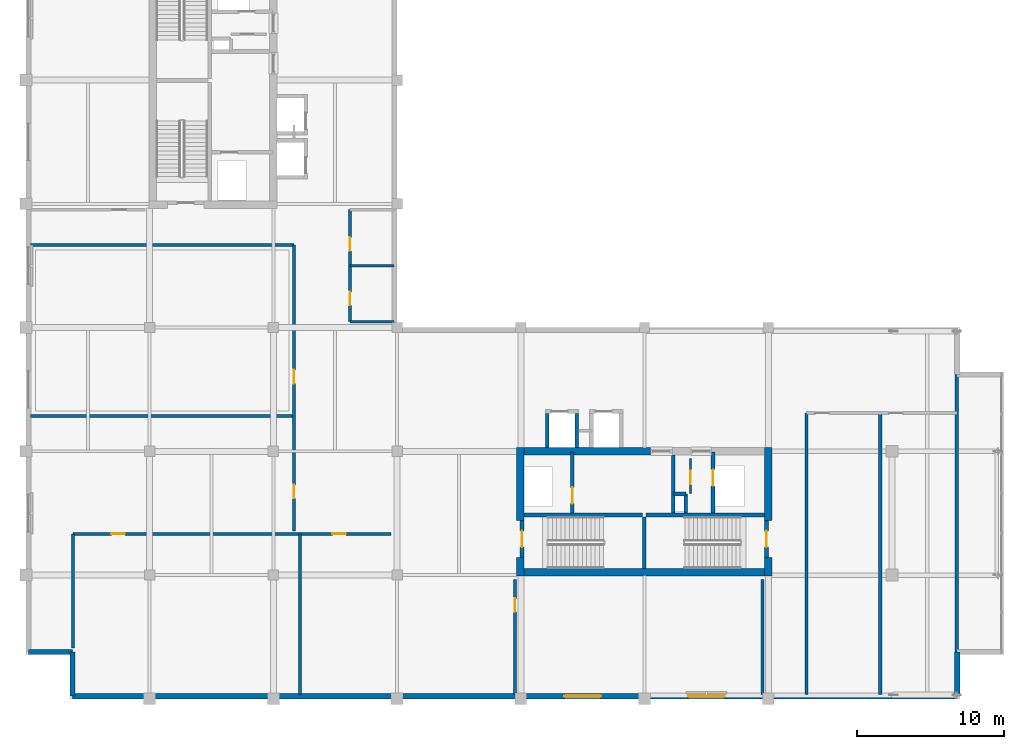
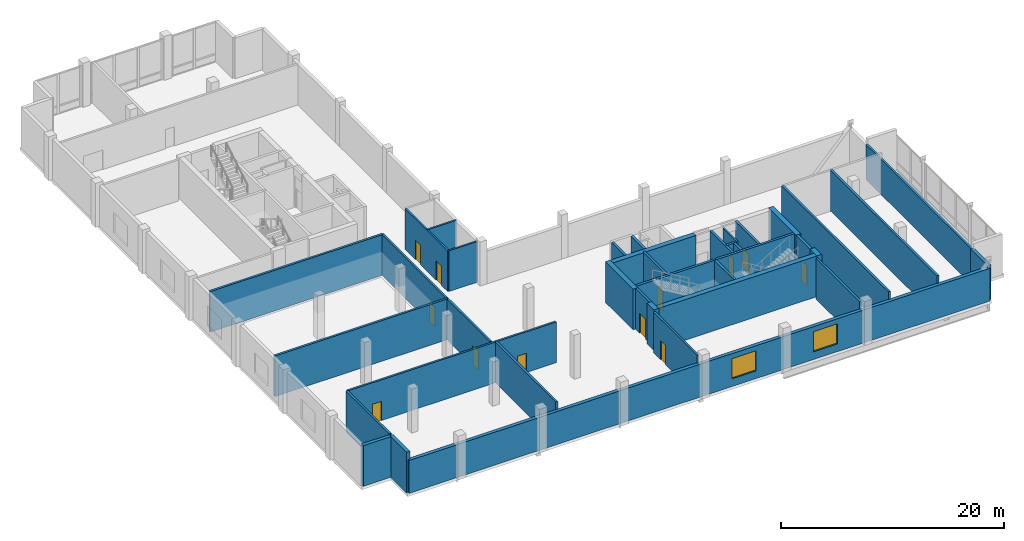
# One storey, part 10 of 18: 37 walls, 12 doors, 2 windows, 14 openings.
"""IFC4 building model written with IfcOpenShell, lengths in metres."""

from ifc_helpers import new_model, si_unit, direction, frame, frame_2d, origin, place, context, subcontext, project, spatial, rectangle, extrude, material, layer, layer_set, type_object, element, fill, save


model = new_model("IFC4")

# Units and contexts
model_context = context("Model", 3, precision=1e-05, world=origin(), true_north=direction((0.0, 1.0)))
body_context = subcontext(model_context, "Body", "Model", "MODEL_VIEW")
ifc_project = project(units=[si_unit("LENGTHUNIT", "METRE"), si_unit("AREAUNIT", "SQUARE_METRE"), si_unit("VOLUMEUNIT", "CUBIC_METRE"), si_unit("PLANEANGLEUNIT", "RADIAN"), si_unit("MASSUNIT", "GRAM", prefix="KILO")], contexts=[model_context])

# Site, building, storey
site_placement = place(None, origin())
site = spatial("IfcSite", under=ifc_project, at=site_placement, CompositionType="ELEMENT")
building_placement = place(site_placement, origin())
building = spatial("IfcBuilding", under=site, at=building_placement, Name="Koriwani Terraces Tower", CompositionType="ELEMENT")
storey_placement = place(building_placement, frame((0.0, 0.0, 363.800048828125)))
storey = spatial("IfcBuildingStorey", under=building, at=storey_placement, Name="L90", CompositionType="ELEMENT", Elevation=363.800048828125)

# Walls
ifc_material_1 = material(Name="Concrete C50/60", Category="concrete")
ifc_layer_1 = layer(ifc_material_1, 0.5, Name="Concrete C50/60")
ifc_layer_set_1 = layer_set([ifc_layer_1], Name="Concrete C50/60")
wall_type_1 = type_object("IfcWallType", Name="WALL_CORE_RC_500", PredefinedType="SHEAR", material=ifc_layer_set_1)
wall_1_placement = place(storey_placement, frame((41.949951171875, 16.75, 0.0), z_axis=(0.0, 0.0, 1.0), x_axis=(0.0, 1.0, 0.0)))
element("IfcWall", 1, at=wall_1_placement, inside=storey, type_object=wall_type_1, Name="L90 East Split Core Shear Wall W1", PredefinedType="SHEAR", context=body_context, shape_type="SweptSolid", body=[
    extrude(rectangle(XDim=1.25, YDim=0.5, at=frame_2d((0.625, 0.0))), origin(), (0.0, 0.0, 1.0), 4.449951171875),
])
wall_2_placement = place(storey_placement, frame((41.949951171875, 20.5, 0.0), z_axis=(0.0, 0.0, 1.0), x_axis=(0.0, 1.0, 0.0)))
element("IfcWall", 2, at=wall_2_placement, inside=storey, type_object=wall_type_1, Name="L90 East Split Core Shear Wall W2", PredefinedType="SHEAR", context=body_context, shape_type="SweptSolid", body=[
    extrude(rectangle(XDim=4.949951171875, YDim=0.5, at=frame_2d((2.47509765625, 0.0))), origin(), (0.0, 0.0, 1.0), 4.449951171875),
])
wall_3_placement = place(storey_placement, frame((58.800048828125, 16.75, 0.0), z_axis=(0.0, 0.0, 1.0), x_axis=(0.0, 1.0, 0.0)))
element("IfcWall", 3, at=wall_3_placement, inside=storey, type_object=wall_type_1, Name="L90 East Split Core Shear Wall E1", PredefinedType="SHEAR", context=body_context, shape_type="SweptSolid", body=[
    extrude(rectangle(XDim=1.25, YDim=0.5, at=frame_2d((0.625, 0.0))), origin(), (0.0, 0.0, 1.0), 4.449951171875),
])
wall_4_placement = place(storey_placement, frame((58.800048828125, 20.5, 0.0), z_axis=(0.0, 0.0, 1.0), x_axis=(0.0, 1.0, 0.0)))
element("IfcWall", 4, at=wall_4_placement, inside=storey, type_object=wall_type_1, Name="L90 East Split Core Shear Wall E2", PredefinedType="SHEAR", context=body_context, shape_type="SweptSolid", body=[
    extrude(rectangle(XDim=4.949951171875, YDim=0.5, at=frame_2d((2.47509765625, 0.0))), origin(), (0.0, 0.0, 1.0), 4.449951171875),
])
wall_5_placement = place(storey_placement, frame((42.199951171875, 17.0, 0.0), z_axis=(0.0, 0.0, 1.0), x_axis=(1.0, 0.0, 0.0)))
element("IfcWall", 5, at=wall_5_placement, inside=storey, type_object=wall_type_1, Name="L90 East Split Core Shear Wall S1", PredefinedType="SHEAR", context=body_context, shape_type="SweptSolid", body=[
    extrude(rectangle(XDim=16.35009765625, YDim=0.5, at=frame_2d((8.175048828125, 0.0))), origin(), (0.0, 0.0, 1.0), 4.449951171875),
])
wall_6_placement = place(storey_placement, frame((42.199951171875, 25.199951171875, 0.0), z_axis=(0.0, 0.0, 1.0), x_axis=(1.0, 0.0, 0.0)))
element("IfcWall", 6, at=wall_6_placement, inside=storey, type_object=wall_type_1, Name="L90 East Split Core Shear Wall N1", PredefinedType="SHEAR", context=body_context, shape_type="SweptSolid", body=[
    extrude(rectangle(XDim=8.60009765625, YDim=0.5, at=frame_2d((4.300048828125, 0.0))), origin(), (0.0, 0.0, 1.0), 4.449951171875),
])

# Wall, opening, door
ifc_material_2 = material(Name="Autoclaved Cellular Concrete Blockwork", Category="masonry")
ifc_layer_2 = layer(ifc_material_2, 0.199951171875, Name="Autoclaved Cellular Concrete Blockwork")
ifc_layer_set_2 = layer_set([ifc_layer_2], Name="Autoclaved Cellular Concrete Blockwork")
wall_type_2 = type_object("IfcWallType", Name="WALL_CORRIDOR_200", PredefinedType="PARTITIONING", material=ifc_layer_set_2)
wall_7_placement = place(storey_placement, frame((41.60009765625, 8.699951171875, 0.0), z_axis=(0.0, 0.0, 1.0), x_axis=(0.0, 1.0, 0.0)))
wall_7 = element("IfcWall", 7, at=wall_7_placement, inside=storey, type_object=wall_type_2, Name="L90 Interior Wall WSKY-RECE1-L90", PredefinedType="PARTITIONING", context=body_context, shape_type="SweptSolid", body=[
    extrude(rectangle(XDim=7.800048828125, YDim=0.199951171875, at=frame_2d((3.89990234375, 0.0))), origin(), (0.0, 0.0, 1.0), 4.449951171875),
])
opening_1_placement = place(wall_7_placement, frame((5.60009765625, 0.0, 0.0)))
opening_1 = element("IfcOpeningElement", 8, at=opening_1_placement, cuts=wall_7, Name="Opening D-06", PredefinedType="OPENING", context=body_context, shape_type="SweptSolid", body=[
    extrude(rectangle(XDim=0.919921875, YDim=2.10009765625, at=frame_2d((0.4599609375, 1.050048828125))), frame((0.0, 0.10986328125, 0.0), z_axis=(0.0, -1.0, 0.0), x_axis=(1.0, 0.0, 0.0)), (0.0, 0.0, 1.0), 0.219970703125),
])
ifc_material_3 = material(Name="Architectural Oak Fire Door", Category="wood")
door_type_1 = type_object("IfcDoorType", Name="DOOR_ROOM_INT_920X2100", OperationType="NOTDEFINED", PredefinedType="DOOR", material=ifc_material_3)
door_1_placement = place(opening_1_placement, origin())
door_1 = element("IfcDoor", 9, at=door_1_placement, inside=storey, type_object=door_type_1, Name="L90 VIP Tasting Salon Door", OperationType="SINGLE_SWING_LEFT", OverallHeight=2.10009765625, OverallWidth=0.919921875, PredefinedType="DOOR", context=body_context, shape_type="SweptSolid", body=[
    extrude(rectangle(XDim=0.919921875, YDim=2.10009765625, at=frame_2d((0.4599609375, 1.050048828125))), frame((0.0, 0.02490234375, 0.0), z_axis=(0.0, -1.0, 0.0), x_axis=(1.0, 0.0, 0.0)), (0.0, 0.0, 1.0), 0.050048828125),
])
fill(opening_1, door_1)

# Wall, openings, doors
wall_8_placement = place(storey_placement, frame((11.60009765625, 19.60009765625, 0.0), z_axis=(0.0, 0.0, 1.0), x_axis=(1.0, 0.0, 0.0)))
wall_8 = element("IfcWall", 10, at=wall_8_placement, inside=storey, type_object=wall_type_2, Name="L90 Interior Wall WSKY-SPN-L90", PredefinedType="PARTITIONING", context=body_context, shape_type="SweptSolid", body=[
    extrude(rectangle(XDim=21.599853515625, YDim=0.199951171875, at=frame_2d((10.7998046875, 0.0))), origin(), (0.0, 0.0, 1.0), 4.449951171875),
])
opening_2_placement = place(wall_8_placement, frame((2.60009765625, 0.0, 0.0)))
opening_2 = element("IfcOpeningElement", 11, at=opening_2_placement, cuts=wall_8, Name="Opening D-06", PredefinedType="OPENING", context=body_context, shape_type="SweptSolid", body=[
    extrude(rectangle(XDim=0.919921875, YDim=2.10009765625, at=frame_2d((0.4599609375, 1.050048828125))), frame((0.0, 0.10986328125, 0.0), z_axis=(0.0, -1.0, 0.0), x_axis=(1.0, 0.0, 0.0)), (0.0, 0.0, 1.0), 0.219970703125),
])
opening_3_placement = place(wall_8_placement, frame((17.60009765625, 0.0, 0.0)))
opening_3 = element("IfcOpeningElement", 12, at=opening_3_placement, cuts=wall_8, Name="Opening D-06", PredefinedType="OPENING", context=body_context, shape_type="SweptSolid", body=[
    extrude(rectangle(XDim=0.919921875, YDim=2.10009765625, at=frame_2d((0.4599609375, 1.050048828125))), frame((0.0, 0.10986328125, 0.0), z_axis=(0.0, -1.0, 0.0), x_axis=(1.0, 0.0, 0.0)), (0.0, 0.0, 1.0), 0.219970703125),
])
door_2_placement = place(opening_2_placement, origin())
door_2 = element("IfcDoor", 13, at=door_2_placement, inside=storey, type_object=door_type_1, Name="L90 Sky Spa Salon Door", OperationType="SINGLE_SWING_RIGHT", OverallHeight=2.10009765625, OverallWidth=0.919921875, PredefinedType="DOOR", context=body_context, shape_type="SweptSolid", body=[
    extrude(rectangle(XDim=0.919921875, YDim=2.10009765625, at=frame_2d((0.4599609375, 1.050048828125))), frame((0.0, 0.02490234375, 0.0), z_axis=(0.0, -1.0, 0.0), x_axis=(1.0, 0.0, 0.0)), (0.0, 0.0, 1.0), 0.050048828125),
])
fill(opening_2, door_2)
door_3_placement = place(opening_3_placement, origin())
door_3 = element("IfcDoor", 14, at=door_3_placement, inside=storey, type_object=door_type_1, Name="L90 Sommelier Kitchen Door", OperationType="SINGLE_SWING_LEFT", OverallHeight=2.10009765625, OverallWidth=0.919921875, PredefinedType="DOOR", context=body_context, shape_type="SweptSolid", body=[
    extrude(rectangle(XDim=0.919921875, YDim=2.10009765625, at=frame_2d((0.4599609375, 1.050048828125))), frame((0.0, 0.02490234375, 0.0), z_axis=(0.0, -1.0, 0.0), x_axis=(1.0, 0.0, 0.0)), (0.0, 0.0, 1.0), 0.050048828125),
])
fill(opening_3, door_3)

wall_9_placement = place(storey_placement, frame((26.60009765625, 19.800048828125, 0.0), z_axis=(0.0, 0.0, 1.0), x_axis=(0.0, 1.0, 0.0)))
wall_9 = element("IfcWall", 15, at=wall_9_placement, inside=storey, type_object=wall_type_2, Name="L90 Interior Wall WSKY-WME-L90", PredefinedType="PARTITIONING", context=body_context, shape_type="SweptSolid", body=[
    extrude(rectangle(XDim=19.39990234375, YDim=0.199951171875, at=frame_2d((9.699951171875, 0.0))), origin(), (0.0, 0.0, 1.0), 4.449951171875),
])
opening_4_placement = place(wall_9_placement, frame((2.199951171875, 0.0, 0.0)))
opening_4 = element("IfcOpeningElement", 16, at=opening_4_placement, cuts=wall_9, Name="Opening D-06", PredefinedType="OPENING", context=body_context, shape_type="SweptSolid", body=[
    extrude(rectangle(XDim=0.919921875, YDim=2.10009765625, at=frame_2d((0.4599609375, 1.050048828125))), frame((0.0, 0.10986328125, 0.0), z_axis=(0.0, -1.0, 0.0), x_axis=(1.0, 0.0, 0.0)), (0.0, 0.0, 1.0), 0.219970703125),
])
opening_5_placement = place(wall_9_placement, frame((10.0, 0.0, 0.0)))
opening_5 = element("IfcOpeningElement", 17, at=opening_5_placement, cuts=wall_9, Name="Opening D-06", PredefinedType="OPENING", context=body_context, shape_type="SweptSolid", body=[
    extrude(rectangle(XDim=0.919921875, YDim=2.10009765625, at=frame_2d((0.4599609375, 1.050048828125))), frame((0.0, 0.10986328125, 0.0), z_axis=(0.0, -1.0, 0.0), x_axis=(1.0, 0.0, 0.0)), (0.0, 0.0, 1.0), 0.219970703125),
])
door_4_placement = place(opening_4_placement, origin())
door_4 = element("IfcDoor", 18, at=door_4_placement, inside=storey, type_object=door_type_1, Name="L90 Screening Room Door", OperationType="SINGLE_SWING_RIGHT", OverallHeight=2.10009765625, OverallWidth=0.919921875, PredefinedType="DOOR", context=body_context, shape_type="SweptSolid", body=[
    extrude(rectangle(XDim=0.919921875, YDim=2.10009765625, at=frame_2d((0.4599609375, 1.050048828125))), frame((0.0, 0.02490234375, 0.0), z_axis=(0.0, -1.0, 0.0), x_axis=(1.0, 0.0, 0.0)), (0.0, 0.0, 1.0), 0.050048828125),
])
fill(opening_4, door_4)
door_5_placement = place(opening_5_placement, origin())
door_5 = element("IfcDoor", 19, at=door_5_placement, inside=storey, type_object=door_type_1, Name="L90 Study Library Door", OperationType="SINGLE_SWING_LEFT", OverallHeight=2.10009765625, OverallWidth=0.919921875, PredefinedType="DOOR", context=body_context, shape_type="SweptSolid", body=[
    extrude(rectangle(XDim=0.919921875, YDim=2.10009765625, at=frame_2d((0.4599609375, 1.050048828125))), frame((0.0, 0.02490234375, 0.0), z_axis=(0.0, -1.0, 0.0), x_axis=(1.0, 0.0, 0.0)), (0.0, 0.0, 1.0), 0.050048828125),
])
fill(opening_5, door_5)

# Walls
ifc_layer_3 = layer(ifc_material_2, 0.219970703125, Name="Autoclaved Cellular Concrete Blockwork")
ifc_layer_set_3 = layer_set([ifc_layer_3], Name="Autoclaved Cellular Concrete Blockwork")
wall_type_3 = type_object("IfcWallType", Name="WALL_DEMISING_220", PredefinedType="PARTITIONING", material=ifc_layer_set_3)
wall_10_placement = place(storey_placement, frame((58.39990234375, 8.699951171875, 0.0), z_axis=(0.0, 0.0, 1.0), x_axis=(0.0, 1.0, 0.0)))
element("IfcWall", 20, at=wall_10_placement, inside=storey, type_object=wall_type_3, Name="L90 Interior Wall WSKY-RECE2-L90", PredefinedType="PARTITIONING", context=body_context, shape_type="SweptSolid", body=[
    extrude(rectangle(XDim=7.800048828125, YDim=0.219970703125, at=frame_2d((3.89990234375, 0.0))), origin(), (0.0, 0.0, 1.0), 4.449951171875),
])
wall_11_placement = place(storey_placement, frame((11.60009765625, 11.85009765625, 0.0), z_axis=(0.0, 0.0, 1.0), x_axis=(0.0, 1.0, 0.0)))
element("IfcWall", 21, at=wall_11_placement, inside=storey, type_object=wall_type_3, Name="L90 Interior Wall WSKY-SPW-L90", PredefinedType="PARTITIONING", context=body_context, shape_type="SweptSolid", body=[
    extrude(rectangle(XDim=7.75, YDim=0.219970703125, at=frame_2d((3.875, 0.0))), origin(), (0.0, 0.0, 1.0), 4.449951171875),
])
wall_12_placement = place(storey_placement, frame((27.0, 8.699951171875, 0.0), z_axis=(0.0, 0.0, 1.0), x_axis=(0.0, 1.0, 0.0)))
element("IfcWall", 22, at=wall_12_placement, inside=storey, type_object=wall_type_3, Name="L90 Interior Wall WSKY-SPM-L90", PredefinedType="PARTITIONING", context=body_context, shape_type="SweptSolid", body=[
    extrude(rectangle(XDim=10.900146484375, YDim=0.219970703125, at=frame_2d((5.4501953125, 0.0))), origin(), (0.0, 0.0, 1.0), 4.449951171875),
])
for number, where, z_axis, x_axis, name in (
    (23, (8.699951171875, 27.60009765625, 0.0), (0.0, 0.0, 1.0), (1.0, 0.0, 0.0), "L90 Interior Wall WSKY-WMM-L90"),
    (24, (8.699951171875, 39.199951171875, 0.0), (0.0, 0.0, 1.0), (1.0, 0.0, 0.0), "L90 Interior Wall WSKY-WMN-L90"),
):
    element("IfcWall", number, at=place(storey_placement, frame(where, z_axis=z_axis, x_axis=x_axis)), inside=storey, type_object=wall_type_3, Name=name, PredefinedType="PARTITIONING", context=body_context, shape_type="SweptSolid", body=[
        extrude(rectangle(XDim=17.900146484375, YDim=0.219970703125, at=frame_2d((8.9501953125, 0.0))), origin(), (0.0, 0.0, 1.0), 4.449951171875),
    ])
wall_13_placement = place(storey_placement, frame((61.39990234375, 8.699951171875, 0.0), z_axis=(0.0, 0.0, 1.0), x_axis=(0.0, 1.0, 0.0)))
element("IfcWall", 25, at=wall_13_placement, inside=storey, type_object=wall_type_3, Name="L90 Interior Wall WSKY-EW-L90", PredefinedType="PARTITIONING", context=body_context, shape_type="SweptSolid", body=[
    extrude(rectangle(XDim=19.10009765625, YDim=0.219970703125, at=frame_2d((9.550048828125, 0.0))), origin(), (0.0, 0.0, 1.0), 4.449951171875),
])
wall_14_placement = place(storey_placement, frame((71.60009765625, 11.39990234375, 0.0), z_axis=(0.0, 0.0, 1.0), x_axis=(0.0, 1.0, 0.0)))
element("IfcWall", 26, at=wall_14_placement, inside=storey, type_object=wall_type_3, Name="L90 Interior Wall WSKY-EE-L90", PredefinedType="PARTITIONING", context=body_context, shape_type="SweptSolid", body=[
    extrude(rectangle(XDim=19.0, YDim=0.219970703125, at=frame_2d((9.5, 0.0))), origin(), (0.0, 0.0, 1.0), 3.8388671875),
])
wall_15_placement = place(storey_placement, frame((66.39990234375, 8.699951171875, 0.0), z_axis=(0.0, 0.0, 1.0), x_axis=(0.0, 1.0, 0.0)))
element("IfcWall", 27, at=wall_15_placement, inside=storey, type_object=wall_type_3, Name="L90 Interior Wall WSKY-EDIV-L90", PredefinedType="PARTITIONING", context=body_context, shape_type="SweptSolid", body=[
    extrude(rectangle(XDim=19.10009765625, YDim=0.219970703125, at=frame_2d((9.550048828125, 0.0))), origin(), (0.0, 0.0, 1.0), 4.449951171875),
])
ifc_layer_4 = layer(ifc_material_1, 0.35009765625, Name="Concrete C50/60")
ifc_layer_set_4 = layer_set([ifc_layer_4], Name="Concrete C50/60")
wall_type_4 = type_object("IfcWallType", Name="WALL_EXT_BRUTALIST_350", PredefinedType="STANDARD", material=ifc_layer_set_4)
for number, where, z_axis, x_axis, name in (
    (28, (11.574951171875, 8.574951171875, 0.0), (0.0, 0.0, 1.0), (0.0, 1.0, 0.0), "L90 Fair-Faced Brutalist Exterior Wall (N0)"),
    (29, (11.574951171875, 11.574951171875, 0.0), (0.0, 0.0, 1.0), (-1.0, 0.0, 0.0), "L90 Fair-Faced Brutalist Exterior Wall (N1)"),
):
    element("IfcWall", number, at=place(storey_placement, frame(where, z_axis=z_axis, x_axis=x_axis)), inside=storey, type_object=wall_type_4, Name=name, PredefinedType="STANDARD", context=body_context, shape_type="SweptSolid", body=[
        extrude(rectangle(XDim=3.0, YDim=0.35009765625, at=frame_2d((1.5, 0.0))), origin(), (0.0, 0.0, 1.0), 4.449951171875),
    ])
wall_16_placement = place(storey_placement, frame((71.625, 11.574951171875, 0.0), z_axis=(0.0, 0.0, 1.0), x_axis=(0.0, -1.0, 0.0)))
element("IfcWall", 30, at=wall_16_placement, inside=storey, type_object=wall_type_4, Name="L90 Fair-Faced Brutalist Exterior Wall (N14)", PredefinedType="STANDARD", context=body_context, shape_type="SweptSolid", body=[
    extrude(rectangle(XDim=3.0, YDim=0.35009765625, at=frame_2d((1.5, 0.0))), origin(), (0.0, 0.0, 1.0), 3.8388671875),
])

# Wall, openings, windows
wall_17_placement = place(storey_placement, frame((71.625, 8.574951171875, 0.0), z_axis=(0.0, 0.0, 1.0), x_axis=(-1.0, 0.0, 0.0)))
wall_17 = element("IfcWall", 31, at=wall_17_placement, inside=storey, type_object=wall_type_4, Name="L90 Fair-Faced Brutalist Exterior Wall (S)", PredefinedType="STANDARD", context=body_context, shape_type="SweptSolid", body=[
    extrude(rectangle(XDim=60.050048828125, YDim=0.35009765625, at=frame_2d((30.02490234375, 0.0))), origin(), (0.0, 0.0, 1.0), 3.598876953125),
])
opening_6_placement = place(wall_17_placement, frame((24.175048828125, 0.0, 0.85009765625)))
opening_6 = element("IfcOpeningElement", 32, at=opening_6_placement, cuts=wall_17, Name="Opening W-07", PredefinedType="OPENING", context=body_context, shape_type="SweptSolid", body=[
    extrude(rectangle(XDim=2.5, YDim=2.199951171875, at=frame_2d((1.25, 1.10009765625))), frame((0.0, 0.18505859375, 0.0), z_axis=(0.0, -1.0, 0.0), x_axis=(1.0, 0.0, 0.0)), (0.0, 0.0, 1.0), 0.3701171875),
])
opening_7_placement = place(wall_17_placement, frame((15.77490234375, 0.0, 0.85009765625)))
opening_7 = element("IfcOpeningElement", 33, at=opening_7_placement, cuts=wall_17, Name="Opening W-07", PredefinedType="OPENING", context=body_context, shape_type="SweptSolid", body=[
    extrude(rectangle(XDim=2.5, YDim=2.199951171875, at=frame_2d((1.25, 1.10009765625))), frame((0.0, 0.18505859375, 0.0), z_axis=(0.0, -1.0, 0.0), x_axis=(1.0, 0.0, 0.0)), (0.0, 0.0, 1.0), 0.3701171875),
])
ifc_material_4 = material(Name="Tempered Laminated Low-E Glass", Category="glass")
window_type = type_object("IfcWindowType", Name="WIN_SKY_LOUNGE_2500X2200", PartitioningType="SINGLE_PANEL", PredefinedType="WINDOW", material=ifc_material_4)
window_1_placement = place(opening_6_placement, origin())
window_1 = element("IfcWindow", 34, at=window_1_placement, inside=storey, type_object=window_type, Name="L90 Exterior Window (S-12)", OverallHeight=2.199951171875, OverallWidth=2.5, PartitioningType="SINGLE_PANEL", PredefinedType="WINDOW", context=body_context, shape_type="SweptSolid", body=[
    extrude(rectangle(XDim=2.5, YDim=2.199951171875, at=frame_2d((1.25, 1.10009765625))), frame((0.0, 0.030029296875, 0.0), z_axis=(0.0, -1.0, 0.0), x_axis=(1.0, 0.0, 0.0)), (0.0, 0.0, 1.0), 0.06005859375),
])
fill(opening_6, window_1)
window_2_placement = place(opening_7_placement, origin())
window_2 = element("IfcWindow", 35, at=window_2_placement, inside=storey, type_object=window_type, Name="L90 Exterior Window (S-15)", OverallHeight=2.199951171875, OverallWidth=2.5, PartitioningType="SINGLE_PANEL", PredefinedType="WINDOW", context=body_context, shape_type="SweptSolid", body=[
    extrude(rectangle(XDim=2.5, YDim=2.199951171875, at=frame_2d((1.25, 1.10009765625))), frame((0.0, 0.030029296875, 0.0), z_axis=(0.0, -1.0, 0.0), x_axis=(1.0, 0.0, 0.0)), (0.0, 0.0, 1.0), 0.06005859375),
])
fill(opening_7, window_2)

# Wall, openings, doors
ifc_material_5 = material(Name="Fire-Rated Acoustic Gypsum Partition", Category="masonry")
ifc_layer_5 = layer(ifc_material_5, 0.179931640625, Name="Fire-Rated Acoustic Gypsum Partition")
ifc_layer_set_5 = layer_set([ifc_layer_5], Name="Fire-Rated Acoustic Gypsum Partition")
wall_type_5 = type_object("IfcWallType", Name="WALL_PLUMBING_180", PredefinedType="PLUMBINGWALL", material=ifc_layer_set_5)
wall_18_placement = place(storey_placement, frame((30.39990234375, 34.0, 0.0), z_axis=(0.0, 0.0, 1.0), x_axis=(0.0, 1.0, 0.0)))
wall_18 = element("IfcWall", 36, at=wall_18_placement, inside=storey, type_object=wall_type_5, Name="L90 Interior Wall WSKY-WC-L90", PredefinedType="PLUMBINGWALL", context=body_context, shape_type="SweptSolid", body=[
    extrude(rectangle(XDim=7.60009765625, YDim=0.179931640625, at=frame_2d((3.800048828125, 0.0))), origin(), (0.0, 0.0, 1.0), 4.449951171875),
])
opening_8_placement = place(wall_18_placement, frame((1.10009765625, 0.0, 0.0)))
opening_8 = element("IfcOpeningElement", 37, at=opening_8_placement, cuts=wall_18, Name="Opening D-06", PredefinedType="OPENING", context=body_context, shape_type="SweptSolid", body=[
    extrude(rectangle(XDim=0.919921875, YDim=2.10009765625, at=frame_2d((0.4599609375, 1.050048828125))), frame((0.0, 0.10009765625, 0.0), z_axis=(0.0, -1.0, 0.0), x_axis=(1.0, 0.0, 0.0)), (0.0, 0.0, 1.0), 0.199951171875),
])
opening_9_placement = place(wall_18_placement, frame((4.800048828125, 0.0, 0.0)))
opening_9 = element("IfcOpeningElement", 38, at=opening_9_placement, cuts=wall_18, Name="Opening D-06", PredefinedType="OPENING", context=body_context, shape_type="SweptSolid", body=[
    extrude(rectangle(XDim=0.919921875, YDim=2.10009765625, at=frame_2d((0.4599609375, 1.050048828125))), frame((0.0, 0.10009765625, 0.0), z_axis=(0.0, -1.0, 0.0), x_axis=(1.0, 0.0, 0.0)), (0.0, 0.0, 1.0), 0.199951171875),
])
door_6_placement = place(opening_8_placement, origin())
door_6 = element("IfcDoor", 39, at=door_6_placement, inside=storey, type_object=door_type_1, Name="L90 Sky Lobby Restroom WC Door", OperationType="SINGLE_SWING_RIGHT", OverallHeight=2.10009765625, OverallWidth=0.919921875, PredefinedType="DOOR", context=body_context, shape_type="SweptSolid", body=[
    extrude(rectangle(XDim=0.919921875, YDim=2.10009765625, at=frame_2d((0.4599609375, 1.050048828125))), frame((0.0, 0.02490234375, 0.0), z_axis=(0.0, -1.0, 0.0), x_axis=(1.0, 0.0, 0.0)), (0.0, 0.0, 1.0), 0.050048828125),
])
fill(opening_8, door_6)
door_7_placement = place(opening_9_placement, origin())
door_7 = element("IfcDoor", 40, at=door_7_placement, inside=storey, type_object=door_type_1, Name="L90 Sky Lobby Accessible WC Door", OperationType="SINGLE_SWING_LEFT", OverallHeight=2.10009765625, OverallWidth=0.919921875, PredefinedType="DOOR", context=body_context, shape_type="SweptSolid", body=[
    extrude(rectangle(XDim=0.919921875, YDim=2.10009765625, at=frame_2d((0.4599609375, 1.050048828125))), frame((0.0, 0.02490234375, 0.0), z_axis=(0.0, -1.0, 0.0), x_axis=(1.0, 0.0, 0.0)), (0.0, 0.0, 1.0), 0.050048828125),
])
fill(opening_9, door_7)

# Walls
for number, where, z_axis, x_axis, name in (
    (41, (30.39990234375, 34.0, 0.0), (0.0, 0.0, 1.0), (1.0, 0.0, 0.0), "L90 Interior Wall WSKY-WCS-L90"),
    (42, (30.39990234375, 37.800048828125, 0.0), (0.0, 0.0, 1.0), (1.0, 0.0, 0.0), "L90 Interior Wall WSKY-WCM-L90"),
):
    element("IfcWall", number, at=place(storey_placement, frame(where, z_axis=z_axis, x_axis=x_axis)), inside=storey, type_object=wall_type_5, Name=name, PredefinedType="PLUMBINGWALL", context=body_context, shape_type="SweptSolid", body=[
        extrude(rectangle(XDim=3.0, YDim=0.179931640625, at=frame_2d((1.5, 0.0))), origin(), (0.0, 0.0, 1.0), 4.449951171875),
    ])
ifc_material_6 = material(Name="Concrete C40/50", Category="concrete")
ifc_layer_6 = layer(ifc_material_6, 0.25, Name="Concrete C40/50")
ifc_layer_set_6 = layer_set([ifc_layer_6], Name="Concrete C40/50")
wall_type_6 = type_object("IfcWallType", Name="WALL_SHAFT_RATED_250", PredefinedType="SOLIDWALL", material=ifc_layer_set_6)
for number, where, z_axis, x_axis, name in (
    (43, (42.199951171875, 20.875, 0.0), (0.0, 0.0, 1.0), (1.0, 0.0, 0.0), "L90 East Split Core Web Wall MID1"),
    (44, (50.5, 20.875, 0.0), (0.0, 0.0, 1.0), (1.0, 0.0, 0.0), "L90 East Split Core Web Wall MID2"),
):
    element("IfcWall", number, at=place(storey_placement, frame(where, z_axis=z_axis, x_axis=x_axis)), inside=storey, type_object=wall_type_6, Name=name, PredefinedType="SOLIDWALL", context=body_context, shape_type="SweptSolid", body=[
        extrude(rectangle(XDim=8.050048828125, YDim=0.25, at=frame_2d((4.02490234375, 0.0))), origin(), (0.0, 0.0, 1.0), 4.449951171875),
    ])
wall_19_placement = place(storey_placement, frame((50.375, 17.25, 0.0), z_axis=(0.0, 0.0, 1.0), x_axis=(0.0, 1.0, 0.0)))
element("IfcWall", 45, at=wall_19_placement, inside=storey, type_object=wall_type_6, Name="L90 East Split Core Stair Dividing Wall", PredefinedType="SOLIDWALL", context=body_context, shape_type="SweptSolid", body=[
    extrude(rectangle(XDim=3.5, YDim=0.25, at=frame_2d((1.75, 0.0))), origin(), (0.0, 0.0, 1.0), 4.449951171875),
])

# Wall, opening, door
wall_20_placement = place(storey_placement, frame((42.074951171875, 18.0, 0.0), z_axis=(0.0, 0.0, 1.0), x_axis=(0.0, 1.0, 0.0)))
wall_20 = element("IfcWall", 46, at=wall_20_placement, inside=storey, type_object=wall_type_6, Name="L90 Interior Wall WIN-CE-L90-STW", PredefinedType="SOLIDWALL", context=body_context, shape_type="SweptSolid", body=[
    extrude(rectangle(XDim=2.5, YDim=0.25, at=frame_2d((1.25, 0.0))), origin(), (0.0, 0.0, 1.0), 4.449951171875),
])
opening_10_placement = place(wall_20_placement, frame((0.699951171875, 0.0, 0.0)))
opening_10 = element("IfcOpeningElement", 47, at=opening_10_placement, cuts=wall_20, Name="Opening D-03", PredefinedType="OPENING", context=body_context, shape_type="SweptSolid", body=[
    extrude(rectangle(XDim=1.10009765625, YDim=2.14990234375, at=frame_2d((0.550048828125, 1.074951171875))), frame((0.0, 0.135009765625, 0.0), z_axis=(0.0, -1.0, 0.0), x_axis=(1.0, 0.0, 0.0)), (0.0, 0.0, 1.0), 0.27001953125),
])
ifc_material_7 = material(Name="Steel ASTM A572 Grade 50", Category="steel")
door_type_2 = type_object("IfcDoorType", Name="DOOR_STAIR_FIRE_1100X2150", OperationType="NOTDEFINED", PredefinedType="DOOR", material=ifc_material_7)
door_8_placement = place(opening_10_placement, origin())
door_8 = element("IfcDoor", 48, at=door_8_placement, inside=storey, type_object=door_type_2, Name="L90 Exit Stair ST-E1 Door", OperationType="SINGLE_SWING_LEFT", OverallHeight=2.14990234375, OverallWidth=1.10009765625, PredefinedType="DOOR", context=body_context, shape_type="SweptSolid", body=[
    extrude(rectangle(XDim=1.10009765625, YDim=2.14990234375, at=frame_2d((0.550048828125, 1.074951171875))), frame((0.0, 0.02490234375, 0.0), z_axis=(0.0, -1.0, 0.0), x_axis=(1.0, 0.0, 0.0)), (0.0, 0.0, 1.0), 0.050048828125),
])
fill(opening_10, door_8)

wall_21_placement = place(storey_placement, frame((58.675048828125, 18.0, 0.0), z_axis=(0.0, 0.0, 1.0), x_axis=(0.0, 1.0, 0.0)))
wall_21 = element("IfcWall", 49, at=wall_21_placement, inside=storey, type_object=wall_type_6, Name="L90 Interior Wall WIN-CE-L90-STE", PredefinedType="SOLIDWALL", context=body_context, shape_type="SweptSolid", body=[
    extrude(rectangle(XDim=2.5, YDim=0.25, at=frame_2d((1.25, 0.0))), origin(), (0.0, 0.0, 1.0), 4.449951171875),
])
opening_11_placement = place(wall_21_placement, frame((0.699951171875, 0.0, 0.0)))
opening_11 = element("IfcOpeningElement", 50, at=opening_11_placement, cuts=wall_21, Name="Opening D-03", PredefinedType="OPENING", context=body_context, shape_type="SweptSolid", body=[
    extrude(rectangle(XDim=1.10009765625, YDim=2.14990234375, at=frame_2d((0.550048828125, 1.074951171875))), frame((0.0, 0.135009765625, 0.0), z_axis=(0.0, -1.0, 0.0), x_axis=(1.0, 0.0, 0.0)), (0.0, 0.0, 1.0), 0.27001953125),
])
door_9_placement = place(opening_11_placement, origin())
door_9 = element("IfcDoor", 51, at=door_9_placement, inside=storey, type_object=door_type_2, Name="L90 Exit Stair ST-E2 Door", OperationType="SINGLE_SWING_RIGHT", OverallHeight=2.14990234375, OverallWidth=1.10009765625, PredefinedType="DOOR", context=body_context, shape_type="SweptSolid", body=[
    extrude(rectangle(XDim=1.10009765625, YDim=2.14990234375, at=frame_2d((0.550048828125, 1.074951171875))), frame((0.0, 0.02490234375, 0.0), z_axis=(0.0, -1.0, 0.0), x_axis=(1.0, 0.0, 0.0)), (0.0, 0.0, 1.0), 0.050048828125),
])
fill(opening_11, door_9)

wall_22_placement = place(storey_placement, frame((45.5, 21.0, 0.0), z_axis=(0.0, 0.0, 1.0), x_axis=(0.0, 1.0, 0.0)))
wall_22 = element("IfcWall", 52, at=wall_22_placement, inside=storey, type_object=wall_type_6, Name="L90 Interior Wall WIN-CE-L90-FE", PredefinedType="SOLIDWALL", context=body_context, shape_type="SweptSolid", body=[
    extrude(rectangle(XDim=4.14990234375, YDim=0.25, at=frame_2d((2.074951171875, 0.0))), origin(), (0.0, 0.0, 1.0), 4.449951171875),
])
opening_12_placement = place(wall_22_placement, frame((0.64990234375, 0.0, 0.0)))
opening_12 = element("IfcOpeningElement", 53, at=opening_12_placement, cuts=wall_22, Name="Opening LD-01", PredefinedType="OPENING", context=body_context, shape_type="SweptSolid", body=[
    extrude(rectangle(XDim=1.10009765625, YDim=2.14990234375, at=frame_2d((0.550048828125, 1.074951171875))), frame((0.0, 0.135009765625, 0.0), z_axis=(0.0, -1.0, 0.0), x_axis=(1.0, 0.0, 0.0)), (0.0, 0.0, 1.0), 0.27001953125),
])
door_type_3 = type_object("IfcDoorType", Name="DOOR_LIFT_LANDING_1100X2200", OperationType="NOTDEFINED", PredefinedType="DOOR", material=ifc_material_7)
door_10_placement = place(opening_12_placement, origin())
door_10 = element("IfcDoor", 54, at=door_10_placement, inside=storey, type_object=door_type_3, Name="L90 Firefighting Lift FE-02 Landing Door", OperationType="SLIDING_TO_LEFT", OverallHeight=2.14990234375, OverallWidth=1.10009765625, PredefinedType="DOOR", context=body_context, shape_type="SweptSolid", body=[
    extrude(rectangle(XDim=1.10009765625, YDim=2.14990234375, at=frame_2d((0.550048828125, 1.074951171875))), frame((0.0, 0.02490234375, 0.0), z_axis=(0.0, -1.0, 0.0), x_axis=(1.0, 0.0, 0.0)), (0.0, 0.0, 1.0), 0.050048828125),
])
fill(opening_12, door_10)

# Wall
wall_23_placement = place(storey_placement, frame((52.340087890625, 21.0, 0.0), z_axis=(0.0, 0.0, 1.0), x_axis=(0.0, 1.0, 0.0)))
element("IfcWall", 55, at=wall_23_placement, inside=storey, type_object=wall_type_6, Name="L90 Interior Wall WIN-CE-L90-FFE", PredefinedType="SOLIDWALL", context=body_context, shape_type="SweptSolid", body=[
    extrude(rectangle(XDim=3.949951171875, YDim=0.25, at=frame_2d((1.97509765625, 0.0))), origin(), (0.0, 0.0, 1.0), 4.449951171875),
])

# Wall, opening, door
wall_24_placement = place(storey_placement, frame((55.050048828125, 21.0, 0.0), z_axis=(0.0, 0.0, 1.0), x_axis=(0.0, 1.0, 0.0)))
wall_24 = element("IfcWall", 56, at=wall_24_placement, inside=storey, type_object=wall_type_6, Name="L90 Interior Wall WIN-CE-L90-SE", PredefinedType="SOLIDWALL", context=body_context, shape_type="SweptSolid", body=[
    extrude(rectangle(XDim=4.14990234375, YDim=0.25, at=frame_2d((2.074951171875, 0.0))), origin(), (0.0, 0.0, 1.0), 4.449951171875),
])
opening_13_placement = place(wall_24_placement, frame((1.85009765625, 0.0, 0.0)))
opening_13 = element("IfcOpeningElement", 57, at=opening_13_placement, cuts=wall_24, Name="Opening LD-01", PredefinedType="OPENING", context=body_context, shape_type="SweptSolid", body=[
    extrude(rectangle(XDim=1.10009765625, YDim=2.14990234375, at=frame_2d((0.550048828125, 1.074951171875))), frame((0.0, 0.135009765625, 0.0), z_axis=(0.0, -1.0, 0.0), x_axis=(1.0, 0.0, 0.0)), (0.0, 0.0, 1.0), 0.27001953125),
])
door_11_placement = place(opening_13_placement, origin())
door_11 = element("IfcDoor", 58, at=door_11_placement, inside=storey, type_object=door_type_3, Name="L90 Goods Lift SE-02 Landing Door", OperationType="SLIDING_TO_LEFT", OverallHeight=2.14990234375, OverallWidth=1.10009765625, PredefinedType="DOOR", context=body_context, shape_type="SweptSolid", body=[
    extrude(rectangle(XDim=1.10009765625, YDim=2.14990234375, at=frame_2d((0.550048828125, 1.074951171875))), frame((0.0, 0.02490234375, 0.0), z_axis=(0.0, -1.0, 0.0), x_axis=(1.0, 0.0, 0.0)), (0.0, 0.0, 1.0), 0.050048828125),
])
fill(opening_13, door_11)

# Walls
wall_25_placement = place(storey_placement, frame((53.199951171875, 21.0, 0.0), z_axis=(0.0, 0.0, 1.0), x_axis=(0.0, 1.0, 0.0)))
element("IfcWall", 59, at=wall_25_placement, inside=storey, type_object=wall_type_6, Name="L90 Interior Wall WIN-CE-L90-RS1", PredefinedType="SOLIDWALL", context=body_context, shape_type="SweptSolid", body=[
    extrude(rectangle(XDim=1.300048828125, YDim=0.25, at=frame_2d((0.64990234375, 0.0))), origin(), (0.0, 0.0, 1.0), 4.449951171875),
])
wall_26_placement = place(storey_placement, frame((52.360107421875, 22.300048828125, 0.0), z_axis=(0.0, 0.0, 1.0), x_axis=(1.0, 0.0, 0.0)))
element("IfcWall", 60, at=wall_26_placement, inside=storey, type_object=wall_type_6, Name="L90 Interior Wall WIN-CE-L90-RS2", PredefinedType="SOLIDWALL", context=body_context, shape_type="SweptSolid", body=[
    extrude(rectangle(XDim=0.83984375, YDim=0.25, at=frame_2d((0.419921875, 0.0))), origin(), (0.0, 0.0, 1.0), 4.449951171875),
])
for number, where, z_axis, x_axis, name in (
    (61, (43.800048828125, 25.449951171875, 0.0), (0.0, 0.0, 1.0), (0.0, 1.0, 0.0), "L90 Interior Wall WIN-LF-PE-H3-L90-W"),
    (62, (45.800048828125, 25.449951171875, 0.0), (0.0, 0.0, 1.0), (0.0, 1.0, 0.0), "L90 Interior Wall WIN-LF-PE-H3-L90-E"),
):
    element("IfcWall", number, at=place(storey_placement, frame(where, z_axis=z_axis, x_axis=x_axis)), inside=storey, type_object=wall_type_6, Name=name, PredefinedType="SOLIDWALL", context=body_context, shape_type="SweptSolid", body=[
        extrude(rectangle(XDim=2.324951171875, YDim=0.25, at=frame_2d((1.16259765625, 0.0))), origin(), (0.0, 0.0, 1.0), 4.449951171875),
    ])

# Wall, opening, door
ifc_layer_7 = layer(ifc_material_5, 0.159912109375, Name="Fire-Rated Acoustic Gypsum Partition")
ifc_layer_set_7 = layer_set([ifc_layer_7], Name="Fire-Rated Acoustic Gypsum Partition")
wall_type_7 = type_object("IfcWallType", Name="WALL_SUITE_160", PredefinedType="PARTITIONING", material=ifc_layer_set_7)
wall_27_placement = place(storey_placement, frame((53.52001953125, 22.320068359375, 0.0), z_axis=(0.0, 0.0, 1.0), x_axis=(0.0, 1.0, 0.0)))
wall_27 = element("IfcWall", 63, at=wall_27_placement, inside=storey, type_object=wall_type_7, Name="L90 Interior Wall WIN-CE-L90-SV0", PredefinedType="PARTITIONING", context=body_context, shape_type="SweptSolid", body=[
    extrude(rectangle(XDim=2.39990234375, YDim=0.159912109375, at=frame_2d((1.199951171875, 0.0))), origin(), (0.0, 0.0, 1.0), 4.449951171875),
])
opening_14_placement = place(wall_27_placement, frame((0.64990234375, 0.0, 0.0)))
opening_14 = element("IfcOpeningElement", 64, at=opening_14_placement, cuts=wall_27, Name="Opening D-07", PredefinedType="OPENING", context=body_context, shape_type="SweptSolid", body=[
    extrude(rectangle(XDim=0.89990234375, YDim=2.10009765625, at=frame_2d((0.449951171875, 1.050048828125))), frame((0.0, 0.08984375, 0.0), z_axis=(0.0, -1.0, 0.0), x_axis=(1.0, 0.0, 0.0)), (0.0, 0.0, 1.0), 0.179931640625),
])
door_type_4 = type_object("IfcDoorType", Name="DOOR_BATH_INT_900X2100", OperationType="NOTDEFINED", PredefinedType="DOOR", material=ifc_material_3)
door_12_placement = place(opening_14_placement, origin())
door_12 = element("IfcDoor", 65, at=door_12_placement, inside=storey, type_object=door_type_4, Name="L90 East Electrical Switch Room Door", OperationType="SINGLE_SWING_LEFT", OverallHeight=2.10009765625, OverallWidth=0.89990234375, PredefinedType="DOOR", context=body_context, shape_type="SweptSolid", body=[
    extrude(rectangle(XDim=0.89990234375, YDim=2.10009765625, at=frame_2d((0.449951171875, 1.050048828125))), frame((0.0, 0.02490234375, 0.0), z_axis=(0.0, -1.0, 0.0), x_axis=(1.0, 0.0, 0.0)), (0.0, 0.0, 1.0), 0.050048828125),
])
fill(opening_14, door_12)

save(model, "model.ifc")
